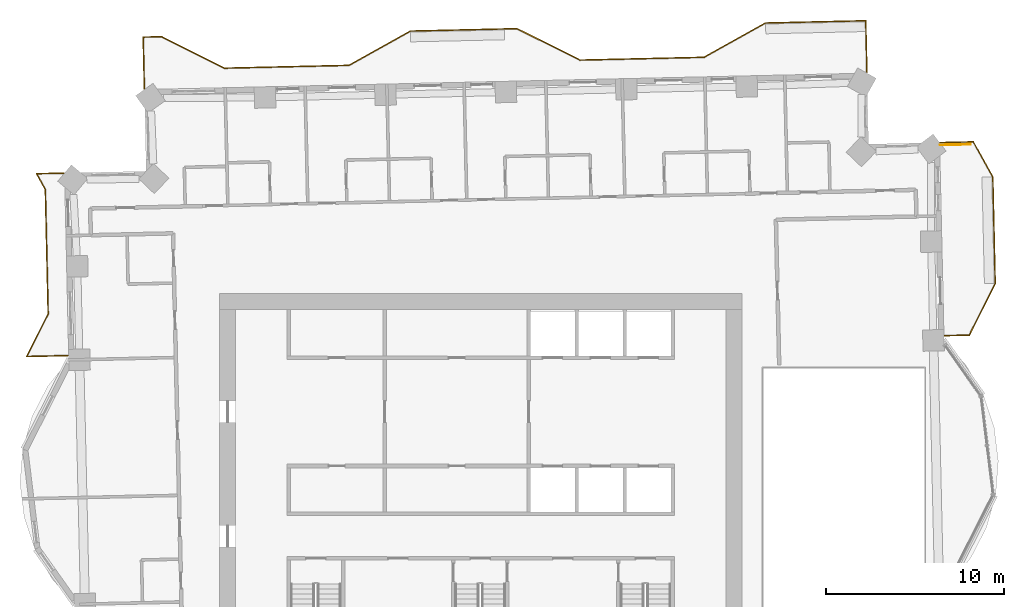
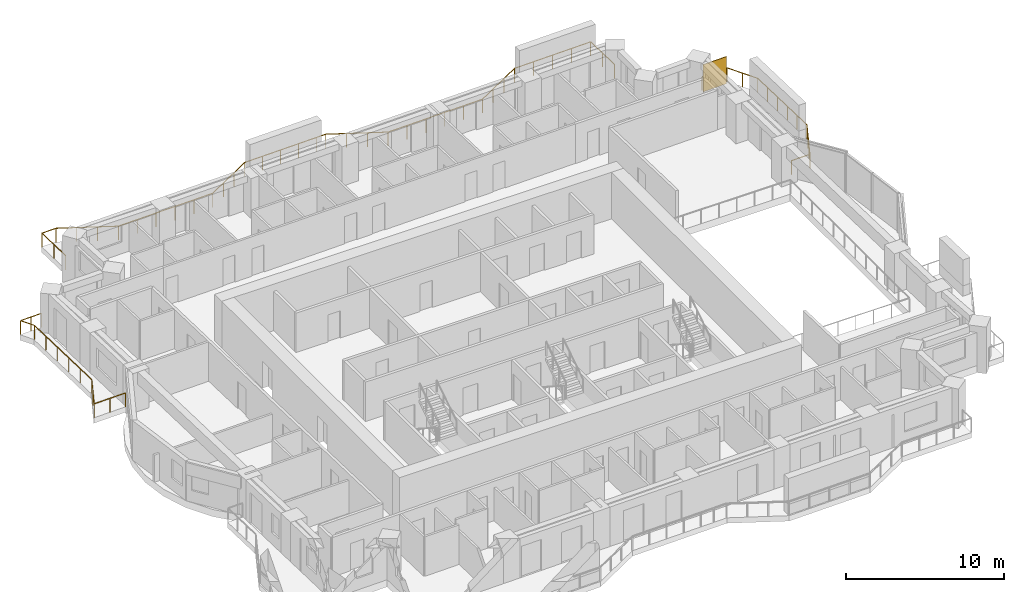
# One storey, part 16 of 16: 3 railings, 1 shading device.
"""IFC4 building model written with IfcOpenShell, lengths in metres."""

from ifc_helpers import new_model, si_unit, direction, frame, origin, origin_2d, place, context, subcontext, project, spatial, rectangle, extrude, material, type_object, element, save


model = new_model("IFC4")

# Units and contexts
model_context = context("Model", 3, precision=1e-05, world=origin(), true_north=direction((0.0, 1.0)))
body_context = subcontext(model_context, "Body", "Model", "MODEL_VIEW")
ifc_project = project(units=[si_unit("LENGTHUNIT", "METRE"), si_unit("AREAUNIT", "SQUARE_METRE"), si_unit("VOLUMEUNIT", "CUBIC_METRE"), si_unit("PLANEANGLEUNIT", "RADIAN"), si_unit("MASSUNIT", "GRAM", prefix="KILO")], contexts=[model_context])

# Site, building, storey
site_placement = place(None, origin())
site = spatial("IfcSite", under=ifc_project, at=site_placement, CompositionType="ELEMENT")
building_placement = place(site_placement, origin())
building = spatial("IfcBuilding", under=site, at=building_placement, Name="Mangrove Gate Tower", CompositionType="ELEMENT")
storey_placement = place(building_placement, frame((0.0, 0.0, 178.89990234375)))
storey = spatial("IfcBuildingStorey", under=building, at=storey_placement, Name="L45", CompositionType="ELEMENT", Elevation=178.89990234375)

# Railings
ifc_material_1 = material(Name="Stainless steel grade 316 with laminated glass infill", Category="steel")
railing_type = type_object("IfcRailingType", Name="Balcony guard 1100", PredefinedType="GUARDRAIL", material=ifc_material_1)
railing_1_placement = place(storey_placement, frame((26.112060546875, 9.333984375, 0.0)))
element("IfcRailing", 1, at=railing_1_placement, inside=storey, type_object=railing_type, Name="GUARD L45 E2", PredefinedType="GUARDRAIL", context=body_context, shape_type="SweptSolid", body=[
    extrude(rectangle(XDim=0.048095703125, YDim=0.048095703125, at=origin_2d()), frame((0.0, 0.0, 1.076171875), z_axis=(0.999751267222, 0.022302548909, 0.0), x_axis=(-0.022302548909, 0.999751267222, 0.0)), (0.0, 0.0, 1.0), 1.39013671875),
    extrude(rectangle(XDim=0.048095703125, YDim=0.048095703125, at=origin_2d()), frame((1.389892578125, 0.031005859375, 1.076171875), z_axis=(0.447243631758, 0.894412172241, 0.0), x_axis=(-0.894412172241, 0.447243631758, 0.0)), (0.0, 0.0, 1.0), 3.251220703125),
    extrude(rectangle(XDim=0.048095703125, YDim=0.048095703125, at=origin_2d()), frame((2.843994140625, 2.93896484375, 1.076171875), z_axis=(-0.022662255828, 0.999743178102, 0.0), x_axis=(-0.999743178102, -0.022662255828, 0.0)), (0.0, 0.0, 1.0), 6.00048828125),
    extrude(rectangle(XDim=0.048095703125, YDim=0.048095703125, at=origin_2d()), frame((2.7080078125, 8.93798828125, 1.076171875), z_axis=(-0.487255140858, 0.873259656521, 0.0), x_axis=(-0.873259656521, -0.487255140858, 0.0)), (0.0, 0.0, 1.0), 2.26171875),
    extrude(rectangle(XDim=0.048095703125, YDim=0.048095703125, at=origin_2d()), frame((1.60595703125, 10.9130859375, 1.076171875), z_axis=(-0.999743329406, -0.02265558006, 0.0), x_axis=(0.02265558006, -0.999743329406, 0.0)), (0.0, 0.0, 1.0), 1.853515625),
    extrude(rectangle(XDim=0.0419921875, YDim=0.0419921875, at=origin_2d()), origin(), (0.0, 0.0, 1.0), 1.052001953125),
    extrude(rectangle(XDim=0.0419921875, YDim=0.0419921875, at=origin_2d()), frame((1.389892578125, 0.031005859375, 0.0)), (0.0, 0.0, 1.0), 1.052001953125),
    extrude(rectangle(XDim=0.0419921875, YDim=0.0419921875, at=origin_2d()), frame((1.87451171875, 1.000244140625, 0.0)), (0.0, 0.0, 1.0), 1.052001953125),
    extrude(rectangle(XDim=0.0419921875, YDim=0.0419921875, at=origin_2d()), frame((2.359375, 1.9697265625, 0.0)), (0.0, 0.0, 1.0), 1.052001953125),
    extrude(rectangle(XDim=0.0419921875, YDim=0.0419921875, at=origin_2d()), frame((2.843994140625, 2.93896484375, 0.0)), (0.0, 0.0, 1.0), 1.052001953125),
    extrude(rectangle(XDim=0.0419921875, YDim=0.0419921875, at=origin_2d()), frame((2.81689453125, 4.138671875, 0.0)), (0.0, 0.0, 1.0), 1.052001953125),
    extrude(rectangle(XDim=0.0419921875, YDim=0.0419921875, at=origin_2d()), frame((2.78955078125, 5.338623046875, 0.0)), (0.0, 0.0, 1.0), 1.052001953125),
    extrude(rectangle(XDim=0.0419921875, YDim=0.0419921875, at=origin_2d()), frame((2.762451171875, 6.538330078125, 0.0)), (0.0, 0.0, 1.0), 1.052001953125),
    extrude(rectangle(XDim=0.0419921875, YDim=0.0419921875, at=origin_2d()), frame((2.735107421875, 7.73828125, 0.0)), (0.0, 0.0, 1.0), 1.052001953125),
    extrude(rectangle(XDim=0.0419921875, YDim=0.0419921875, at=origin_2d()), frame((2.7080078125, 8.93798828125, 0.0)), (0.0, 0.0, 1.0), 1.052001953125),
    extrude(rectangle(XDim=0.0419921875, YDim=0.0419921875, at=origin_2d()), frame((2.156982421875, 9.925537109375, 0.0)), (0.0, 0.0, 1.0), 1.052001953125),
    extrude(rectangle(XDim=0.0419921875, YDim=0.0419921875, at=origin_2d()), frame((1.60595703125, 10.9130859375, 0.0)), (0.0, 0.0, 1.0), 1.052001953125),
    extrude(rectangle(XDim=0.0419921875, YDim=0.0419921875, at=origin_2d()), frame((0.679443359375, 10.89208984375, 0.0)), (0.0, 0.0, 1.0), 1.052001953125),
    extrude(rectangle(XDim=0.0419921875, YDim=0.0419921875, at=origin_2d()), frame((-0.2470703125, 10.87109375, 0.0)), (0.0, 0.0, 1.0), 1.052001953125),
])
railing_2_placement = place(storey_placement, frame((21.735107421875, 24.153076171875, 0.0)))
element("IfcRailing", 2, at=railing_2_placement, inside=storey, type_object=railing_type, Name="GUARD L45 N1", PredefinedType="GUARDRAIL", context=body_context, shape_type="SweptSolid", body=[
    extrude(rectangle(XDim=0.048095703125, YDim=0.048095703125, at=origin_2d()), frame((0.0, 0.0, 1.076171875), z_axis=(-0.022738559105, 0.99974144554, 0.0), x_axis=(-0.99974144554, -0.022738559105, 0.0)), (0.0, 0.0, 1.0), 2.90966796875),
    extrude(rectangle(XDim=0.048095703125, YDim=0.048095703125, at=origin_2d()), frame((-0.066162109375, 2.908935546875, 1.076171875), z_axis=(-0.999742750925, -0.022681092847, 0.0), x_axis=(0.022681092847, -0.999742750925, 0.0)), (0.0, 0.0, 1.0), 5.640380859375),
    extrude(rectangle(XDim=0.048095703125, YDim=0.048095703125, at=origin_2d()), frame((-5.705078125, 2.781005859375, 1.076171875), z_axis=(-0.873230657876, -0.487307108654, 0.0), x_axis=(0.487307108654, -0.873230657876, 0.0)), (0.0, 0.0, 1.0), 3.958984375),
    extrude(rectangle(XDim=0.048095703125, YDim=0.048095703125, at=origin_2d()), frame((-9.162109375, 0.851806640625, 1.076171875), z_axis=(-0.999742195543, -0.022705559911, 0.0), x_axis=(0.022705559911, -0.999742195543, 0.0)), (0.0, 0.0, 1.0), 6.999755859375),
    extrude(rectangle(XDim=0.048095703125, YDim=0.048095703125, at=origin_2d()), frame((-16.16015625, 0.69287109375, 1.076171875), z_axis=(-0.894476522376, 0.447114919141, 0.0), x_axis=(-0.447114919141, -0.894476522376, 0.0)), (0.0, 0.0, 1.0), 3.958740234375),
    extrude(rectangle(XDim=0.048095703125, YDim=0.048095703125, at=origin_2d()), frame((-19.701171875, 2.462890625, 1.076171875), z_axis=(-0.999743094177, -0.022665957838, 0.0), x_axis=(0.022665957838, -0.999743094177, 0.0)), (0.0, 0.0, 1.0), 0.7001953125),
    extrude(rectangle(XDim=0.048095703125, YDim=0.048095703125, at=origin_2d()), frame((-20.401123046875, 2.447021484375, 1.076171875), z_axis=(-0.999743189186, -0.022661766832, 0.0), x_axis=(0.022661766832, -0.999743189186, 0.0)), (0.0, 0.0, 1.0), 5.300537109375),
    extrude(rectangle(XDim=0.048095703125, YDim=0.048095703125, at=origin_2d()), frame((-25.7001953125, 2.326904296875, 1.076171875), z_axis=(-0.87325689943, -0.48726008209, 0.0), x_axis=(0.48726008209, -0.87325689943, 0.0)), (0.0, 0.0, 1.0), 3.958740234375),
    extrude(rectangle(XDim=0.048095703125, YDim=0.048095703125, at=origin_2d()), frame((-29.1572265625, 0.39794921875, 1.076171875), z_axis=(-0.999742177561, -0.022706351659, 0.0), x_axis=(0.022706351659, -0.999742177561, 0.0)), (0.0, 0.0, 1.0), 6.99951171875),
    extrude(rectangle(XDim=0.048095703125, YDim=0.048095703125, at=origin_2d()), frame((-36.155029296875, 0.239013671875, 1.076171875), z_axis=(-0.894377854182, 0.447312255532, 0.0), x_axis=(-0.447312255532, -0.894377854182, 0.0)), (0.0, 0.0, 1.0), 3.959228515625),
    extrude(rectangle(XDim=0.048095703125, YDim=0.048095703125, at=origin_2d()), frame((-39.696044921875, 2.010009765625, 1.076171875), z_axis=(-0.999730073623, -0.023233163683, 0.0), x_axis=(0.023233163683, -0.999730073623, 0.0)), (0.0, 0.0, 1.0), 1.040283203125),
    extrude(rectangle(XDim=0.048095703125, YDim=0.048095703125, at=origin_2d()), frame((-40.736083984375, 1.98583984375, 1.076171875), z_axis=(0.022654696127, -0.999743349437, 0.0), x_axis=(0.999743349437, 0.022654696127, 0.0)), (0.0, 0.0, 1.0), 2.90966796875),
    extrude(rectangle(XDim=0.0419921875, YDim=0.0419921875, at=origin_2d()), origin(), (0.0, 0.0, 1.0), 1.052001953125),
    extrude(rectangle(XDim=0.0419921875, YDim=0.0419921875, at=origin_2d()), frame((-0.033203125, 1.45458984375, 0.0)), (0.0, 0.0, 1.0), 1.052001953125),
    extrude(rectangle(XDim=0.0419921875, YDim=0.0419921875, at=origin_2d()), frame((-0.066162109375, 2.908935546875, 0.0)), (0.0, 0.0, 1.0), 1.052001953125),
    extrude(rectangle(XDim=0.0419921875, YDim=0.0419921875, at=origin_2d()), frame((-1.475830078125, 2.876953125, 0.0)), (0.0, 0.0, 1.0), 1.052001953125),
    extrude(rectangle(XDim=0.0419921875, YDim=0.0419921875, at=origin_2d()), frame((-2.8857421875, 2.844970703125, 0.0)), (0.0, 0.0, 1.0), 1.052001953125),
    extrude(rectangle(XDim=0.0419921875, YDim=0.0419921875, at=origin_2d()), frame((-4.29541015625, 2.81298828125, 0.0)), (0.0, 0.0, 1.0), 1.052001953125),
    extrude(rectangle(XDim=0.0419921875, YDim=0.0419921875, at=origin_2d()), frame((-5.705078125, 2.781005859375, 0.0)), (0.0, 0.0, 1.0), 1.052001953125),
    extrude(rectangle(XDim=0.0419921875, YDim=0.0419921875, at=origin_2d()), frame((-6.857421875, 2.137939453125, 0.0)), (0.0, 0.0, 1.0), 1.052001953125),
    extrude(rectangle(XDim=0.0419921875, YDim=0.0419921875, at=origin_2d()), frame((-8.009765625, 1.494873046875, 0.0)), (0.0, 0.0, 1.0), 1.052001953125),
    extrude(rectangle(XDim=0.0419921875, YDim=0.0419921875, at=origin_2d()), frame((-9.162109375, 0.851806640625, 0.0)), (0.0, 0.0, 1.0), 1.052001953125),
    extrude(rectangle(XDim=0.0419921875, YDim=0.0419921875, at=origin_2d()), frame((-10.561767578125, 0.820068359375, 0.0)), (0.0, 0.0, 1.0), 1.052001953125),
    extrude(rectangle(XDim=0.0419921875, YDim=0.0419921875, at=origin_2d()), frame((-11.96142578125, 0.788330078125, 0.0)), (0.0, 0.0, 1.0), 1.052001953125),
    extrude(rectangle(XDim=0.0419921875, YDim=0.0419921875, at=origin_2d()), frame((-13.36083984375, 0.75634765625, 0.0)), (0.0, 0.0, 1.0), 1.052001953125),
    extrude(rectangle(XDim=0.0419921875, YDim=0.0419921875, at=origin_2d()), frame((-14.760498046875, 0.724609375, 0.0)), (0.0, 0.0, 1.0), 1.052001953125),
    extrude(rectangle(XDim=0.0419921875, YDim=0.0419921875, at=origin_2d()), frame((-16.16015625, 0.69287109375, 0.0)), (0.0, 0.0, 1.0), 1.052001953125),
    extrude(rectangle(XDim=0.0419921875, YDim=0.0419921875, at=origin_2d()), frame((-17.340576171875, 1.282958984375, 0.0)), (0.0, 0.0, 1.0), 1.052001953125),
    extrude(rectangle(XDim=0.0419921875, YDim=0.0419921875, at=origin_2d()), frame((-18.520751953125, 1.872802734375, 0.0)), (0.0, 0.0, 1.0), 1.052001953125),
    extrude(rectangle(XDim=0.0419921875, YDim=0.0419921875, at=origin_2d()), frame((-19.701171875, 2.462890625, 0.0)), (0.0, 0.0, 1.0), 1.052001953125),
    extrude(rectangle(XDim=0.0419921875, YDim=0.0419921875, at=origin_2d()), frame((-20.401123046875, 2.447021484375, 0.0)), (0.0, 0.0, 1.0), 1.052001953125),
    extrude(rectangle(XDim=0.0419921875, YDim=0.0419921875, at=origin_2d()), frame((-21.725830078125, 2.4169921875, 0.0)), (0.0, 0.0, 1.0), 1.052001953125),
    extrude(rectangle(XDim=0.0419921875, YDim=0.0419921875, at=origin_2d()), frame((-23.05078125, 2.386962890625, 0.0)), (0.0, 0.0, 1.0), 1.052001953125),
    extrude(rectangle(XDim=0.0419921875, YDim=0.0419921875, at=origin_2d()), frame((-24.37548828125, 2.35693359375, 0.0)), (0.0, 0.0, 1.0), 1.052001953125),
    extrude(rectangle(XDim=0.0419921875, YDim=0.0419921875, at=origin_2d()), frame((-25.7001953125, 2.326904296875, 0.0)), (0.0, 0.0, 1.0), 1.052001953125),
    extrude(rectangle(XDim=0.0419921875, YDim=0.0419921875, at=origin_2d()), frame((-26.8525390625, 1.683837890625, 0.0)), (0.0, 0.0, 1.0), 1.052001953125),
    extrude(rectangle(XDim=0.0419921875, YDim=0.0419921875, at=origin_2d()), frame((-28.0048828125, 1.041015625, 0.0)), (0.0, 0.0, 1.0), 1.052001953125),
    extrude(rectangle(XDim=0.0419921875, YDim=0.0419921875, at=origin_2d()), frame((-29.1572265625, 0.39794921875, 0.0)), (0.0, 0.0, 1.0), 1.052001953125),
    extrude(rectangle(XDim=0.0419921875, YDim=0.0419921875, at=origin_2d()), frame((-30.556884765625, 0.3662109375, 0.0)), (0.0, 0.0, 1.0), 1.052001953125),
    extrude(rectangle(XDim=0.0419921875, YDim=0.0419921875, at=origin_2d()), frame((-31.956298828125, 0.33447265625, 0.0)), (0.0, 0.0, 1.0), 1.052001953125),
    extrude(rectangle(XDim=0.0419921875, YDim=0.0419921875, at=origin_2d()), frame((-33.35595703125, 0.302490234375, 0.0)), (0.0, 0.0, 1.0), 1.052001953125),
    extrude(rectangle(XDim=0.0419921875, YDim=0.0419921875, at=origin_2d()), frame((-34.75537109375, 0.270751953125, 0.0)), (0.0, 0.0, 1.0), 1.052001953125),
    extrude(rectangle(XDim=0.0419921875, YDim=0.0419921875, at=origin_2d()), frame((-36.155029296875, 0.239013671875, 0.0)), (0.0, 0.0, 1.0), 1.052001953125),
    extrude(rectangle(XDim=0.0419921875, YDim=0.0419921875, at=origin_2d()), frame((-37.33544921875, 0.829345703125, 0.0)), (0.0, 0.0, 1.0), 1.052001953125),
    extrude(rectangle(XDim=0.0419921875, YDim=0.0419921875, at=origin_2d()), frame((-38.515625, 1.419677734375, 0.0)), (0.0, 0.0, 1.0), 1.052001953125),
    extrude(rectangle(XDim=0.0419921875, YDim=0.0419921875, at=origin_2d()), frame((-39.696044921875, 2.010009765625, 0.0)), (0.0, 0.0, 1.0), 1.052001953125),
    extrude(rectangle(XDim=0.0419921875, YDim=0.0419921875, at=origin_2d()), frame((-40.736083984375, 1.98583984375, 0.0)), (0.0, 0.0, 1.0), 1.052001953125),
    extrude(rectangle(XDim=0.0419921875, YDim=0.0419921875, at=origin_2d()), frame((-40.703125, 0.53125, 0.0)), (0.0, 0.0, 1.0), 1.052001953125),
    extrude(rectangle(XDim=0.0419921875, YDim=0.0419921875, at=origin_2d()), frame((-40.670166015625, -0.923095703125, 0.0)), (0.0, 0.0, 1.0), 1.052001953125),
])
railing_3_placement = place(storey_placement, frame((-23.468017578125, 18.486083984375, 0.0)))
element("IfcRailing", 3, at=railing_3_placement, inside=storey, type_object=railing_type, Name="GUARD L45 W1", PredefinedType="GUARDRAIL", context=body_context, shape_type="SweptSolid", body=[
    extrude(rectangle(XDim=0.048095703125, YDim=0.048095703125, at=origin_2d()), frame((0.0, 0.0, 1.076171875), z_axis=(-0.999738130452, -0.02288384848, 0.0), x_axis=(0.02288384848, -0.999738130452, 0.0)), (0.0, 0.0, 1.0), 1.536376953125),
    extrude(rectangle(XDim=0.048095703125, YDim=0.048095703125, at=origin_2d()), frame((-1.535888671875, -0.03515625, 1.076171875), z_axis=(0.487149234519, -0.873318740957, 0.0), x_axis=(0.873318740957, 0.487149234519, 0.0)), (0.0, 0.0, 1.0), 1.017822265625),
    extrude(rectangle(XDim=0.048095703125, YDim=0.048095703125, at=origin_2d()), frame((-1.0400390625, -0.924072265625, 1.076171875), z_axis=(0.022705559911, -0.999742195543, 0.0), x_axis=(0.999742195543, 0.022705559911, 0.0)), (0.0, 0.0, 1.0), 6.999755859375),
    extrude(rectangle(XDim=0.048095703125, YDim=0.048095703125, at=origin_2d()), frame((-0.881103515625, -7.922119140625, 1.076171875), z_axis=(-0.447031829068, -0.894518051132, 0.0), x_axis=(0.894518051132, -0.447031829068, 0.0)), (0.0, 0.0, 1.0), 2.6865234375),
    extrude(rectangle(XDim=0.048095703125, YDim=0.048095703125, at=origin_2d()), frame((-2.08203125, -10.3251953125, 1.076171875), z_axis=(0.999747788443, 0.022457949688, 0.0), x_axis=(-0.022457949688, 0.999747788443, 0.0)), (0.0, 0.0, 1.0), 2.3154296875),
    extrude(rectangle(XDim=0.0419921875, YDim=0.0419921875, at=origin_2d()), origin(), (0.0, 0.0, 1.0), 1.052001953125),
    extrude(rectangle(XDim=0.0419921875, YDim=0.0419921875, at=origin_2d()), frame((-0.76806640625, -0.017578125, 0.0)), (0.0, 0.0, 1.0), 1.052001953125),
    extrude(rectangle(XDim=0.0419921875, YDim=0.0419921875, at=origin_2d()), frame((-1.535888671875, -0.03515625, 0.0)), (0.0, 0.0, 1.0), 1.052001953125),
    extrude(rectangle(XDim=0.0419921875, YDim=0.0419921875, at=origin_2d()), frame((-1.0400390625, -0.924072265625, 0.0)), (0.0, 0.0, 1.0), 1.052001953125),
    extrude(rectangle(XDim=0.0419921875, YDim=0.0419921875, at=origin_2d()), frame((-1.00830078125, -2.32373046875, 0.0)), (0.0, 0.0, 1.0), 1.052001953125),
    extrude(rectangle(XDim=0.0419921875, YDim=0.0419921875, at=origin_2d()), frame((-0.9765625, -3.723388671875, 0.0)), (0.0, 0.0, 1.0), 1.052001953125),
    extrude(rectangle(XDim=0.0419921875, YDim=0.0419921875, at=origin_2d()), frame((-0.944580078125, -5.122802734375, 0.0)), (0.0, 0.0, 1.0), 1.052001953125),
    extrude(rectangle(XDim=0.0419921875, YDim=0.0419921875, at=origin_2d()), frame((-0.912841796875, -6.5224609375, 0.0)), (0.0, 0.0, 1.0), 1.052001953125),
    extrude(rectangle(XDim=0.0419921875, YDim=0.0419921875, at=origin_2d()), frame((-0.881103515625, -7.922119140625, 0.0)), (0.0, 0.0, 1.0), 1.052001953125),
    extrude(rectangle(XDim=0.0419921875, YDim=0.0419921875, at=origin_2d()), frame((-1.4814453125, -9.12353515625, 0.0)), (0.0, 0.0, 1.0), 1.052001953125),
    extrude(rectangle(XDim=0.0419921875, YDim=0.0419921875, at=origin_2d()), frame((-2.08203125, -10.3251953125, 0.0)), (0.0, 0.0, 1.0), 1.052001953125),
    extrude(rectangle(XDim=0.0419921875, YDim=0.0419921875, at=origin_2d()), frame((-0.924560546875, -10.29931640625, 0.0)), (0.0, 0.0, 1.0), 1.052001953125),
    extrude(rectangle(XDim=0.0419921875, YDim=0.0419921875, at=origin_2d()), frame((0.23291015625, -10.273193359375, 0.0)), (0.0, 0.0, 1.0), 1.052001953125),
])

# Shading device
ifc_material_2 = material(Name="Timber slat screen in teak", Category="wood")
shading_device_type = type_object("IfcShadingDeviceType", Name="Balcony screen 2100", PredefinedType="USERDEFINED", material=ifc_material_2)
shading_device_placement = place(storey_placement, frame((26.715087890625, 20.083984375, 0.0), z_axis=(0.0, 0.0, 1.0), x_axis=(0.999741023012, 0.022757128718, 0.0)))
element("IfcShadingDevice", 4, at=shading_device_placement, inside=storey, type_object=shading_device_type, Name="SCREEN L45 E1", ObjectType="SCREEN", PredefinedType="USERDEFINED", context=body_context, shape_type="SweptSolid", body=[
    extrude(rectangle(XDim=1.73388671875, YDim=0.050048828125, at=origin_2d()), origin(), (0.0, 0.0, 1.0), 2.10009765625),
])

save(model, "model.ifc")
